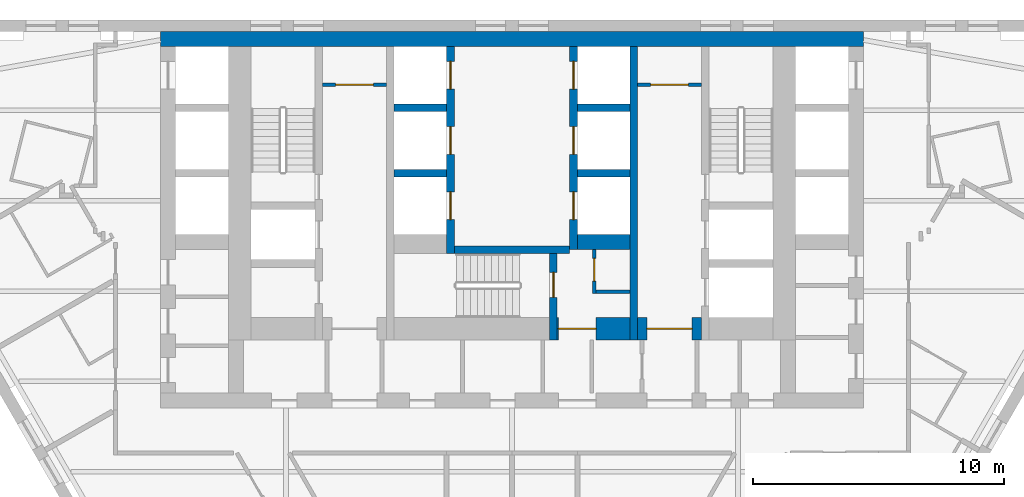
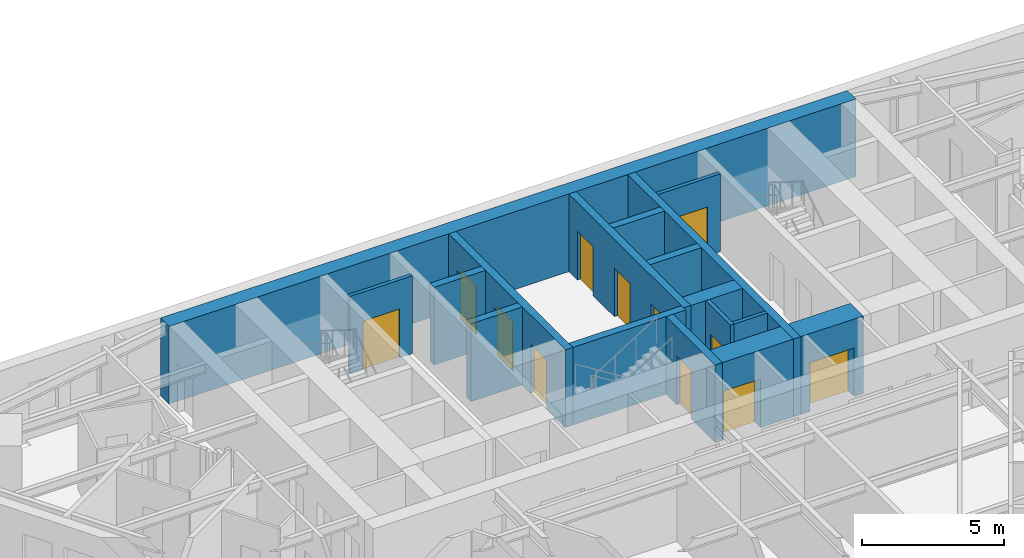
# One storey, part 7 of 10: 17 walls, 12 doors, 12 openings.
"""IFC4 building model written with IfcOpenShell, lengths in metres."""

from ifc_helpers import new_model, si_unit, direction, frame, frame_2d, origin, place, context, subcontext, project, spatial, rectangle, extrude, material, layer, layer_set, type_object, element, fill, save


model = new_model("IFC4")

# Units and contexts
model_context = context("Model", 3, precision=1e-05, world=origin(), true_north=direction((0.0, 1.0)))
body_context = subcontext(model_context, "Body", "Model", "MODEL_VIEW")
ifc_project = project(units=[si_unit("LENGTHUNIT", "METRE"), si_unit("AREAUNIT", "SQUARE_METRE"), si_unit("VOLUMEUNIT", "CUBIC_METRE"), si_unit("PLANEANGLEUNIT", "RADIAN"), si_unit("MASSUNIT", "GRAM", prefix="KILO")], contexts=[model_context])

# Site, building, storey
site_placement = place(None, origin())
site = spatial("IfcSite", under=ifc_project, at=site_placement, CompositionType="ELEMENT")
building_placement = place(site_placement, origin())
building = spatial("IfcBuilding", under=site, at=building_placement, Name="Aloe Facet Convention Tower", CompositionType="ELEMENT")
storey_placement = place(building_placement, frame((0.0, 0.0, 59.5)))
storey = spatial("IfcBuildingStorey", under=building, at=storey_placement, Name="L13", CompositionType="ELEMENT", Elevation=59.5)

# Wall, opening, door
ifc_material_1 = material(Name="Concrete blockwork partition", Category="masonry")
ifc_layer_1 = layer(ifc_material_1, 0.14990234375)
ifc_layer_set_1 = layer_set([ifc_layer_1], Name="CR-W-PART150")
wall_type_1 = type_object("IfcWallType", Name="CR-W-PART150", PredefinedType="PARTITIONING", material=ifc_layer_set_1)
wall_1_placement = place(storey_placement, frame((72.449951171875, 132.425048828125, 0.0), z_axis=(0.0, 0.0, 1.0), x_axis=(1.0, 0.0, 0.0)))
wall_1 = element("IfcWall", 1, at=wall_1_placement, inside=storey, type_object=wall_type_1, Name="Core partition L13-015", PredefinedType="PARTITIONING", context=body_context, shape_type="SweptSolid", body=[
    extrude(rectangle(XDim=2.550048828125, YDim=0.14990234375, at=frame_2d((1.27490234375, 0.0))), origin(), (0.0, 0.0, 1.0), 3.35009765625),
])
opening_1_placement = place(wall_1_placement, frame((0.52490234375, 0.0, 0.0)))
opening_1 = element("IfcOpeningElement", 2, at=opening_1_placement, cuts=wall_1, Name="Opening L13-CD22", PredefinedType="OPENING", context=body_context, shape_type="SweptSolid", body=[
    extrude(rectangle(XDim=1.5, YDim=2.10009765625, at=frame_2d((0.75, 1.050048828125))), frame((0.0, 0.0849609375, 0.0), z_axis=(0.0, -1.0, 0.0), x_axis=(1.0, 0.0, 0.0)), (0.0, 0.0, 1.0), 0.169921875),
])
ifc_material_2 = material(Name="Steel fire-resisting door set FD60", Category="steel")
door_type_1 = type_object("IfcDoorType", Name="CR-D-REFUGE-1500-FD60-DD", OperationType="DOUBLE_DOOR_DOUBLE_SWING", PredefinedType="DOOR", material=ifc_material_2)
door_1_placement = place(opening_1_placement, origin())
door_1 = element("IfcDoor", 3, at=door_1_placement, inside=storey, type_object=door_type_1, Name="Core door L13-CD22", OperationType="DOUBLE_DOOR_DOUBLE_SWING", OverallHeight=2.10009765625, OverallWidth=1.5, PredefinedType="DOOR", context=body_context, shape_type="SweptSolid", body=[
    extrude(rectangle(XDim=1.5, YDim=2.10009765625, at=frame_2d((0.75, 1.050048828125))), frame((0.0, 0.02490234375, 0.0), z_axis=(0.0, -1.0, 0.0), x_axis=(1.0, 0.0, 0.0)), (0.0, 0.0, 1.0), 0.050048828125),
])
fill(opening_1, door_1)

wall_2_placement = place(storey_placement, frame((83.27490234375, 125.85009765625, 0.0), z_axis=(0.0, 0.0, 1.0), x_axis=(0.0, -1.0, 0.0)))
wall_2 = element("IfcWall", 4, at=wall_2_placement, inside=storey, type_object=wall_type_1, Name="Core partition L13-035", PredefinedType="PARTITIONING", context=body_context, shape_type="SweptSolid", body=[
    extrude(rectangle(XDim=1.75, YDim=0.14990234375, at=frame_2d((0.875, 0.0))), origin(), (0.0, 0.0, 1.0), 3.35009765625),
])
opening_2_placement = place(wall_2_placement, frame((0.35009765625, 0.0, 0.0)))
opening_2 = element("IfcOpeningElement", 5, at=opening_2_placement, cuts=wall_2, Name="Opening L13-CD20", PredefinedType="OPENING", context=body_context, shape_type="SweptSolid", body=[
    extrude(rectangle(XDim=0.89990234375, YDim=2.10009765625, at=frame_2d((0.449951171875, 1.050048828125))), frame((0.0, 0.0849609375, 0.0), z_axis=(0.0, -1.0, 0.0), x_axis=(1.0, 0.0, 0.0)), (0.0, 0.0, 1.0), 0.169921875),
])
ifc_material_3 = material(Name="Steel fire-resisting door set FD60", Category="steel")
door_type_2 = type_object("IfcDoorType", Name="CR-D-REFUGE-900-FD60-SRIGHT", OperationType="SINGLE_SWING_RIGHT", PredefinedType="DOOR", material=ifc_material_3)
door_2_placement = place(opening_2_placement, origin())
door_2 = element("IfcDoor", 6, at=door_2_placement, inside=storey, type_object=door_type_2, Name="Core door L13-CD20", OperationType="SINGLE_SWING_RIGHT", OverallHeight=2.10009765625, OverallWidth=0.89990234375, PredefinedType="DOOR", context=body_context, shape_type="SweptSolid", body=[
    extrude(rectangle(XDim=0.89990234375, YDim=2.10009765625, at=frame_2d((0.449951171875, 1.050048828125))), frame((0.0, 0.02490234375, 0.0), z_axis=(0.0, -1.0, 0.0), x_axis=(1.0, 0.0, 0.0)), (0.0, 0.0, 1.0), 0.050048828125),
])
fill(opening_2, door_2)

# Wall
wall_3_placement = place(storey_placement, frame((83.35009765625, 124.175048828125, 0.0), z_axis=(0.0, 0.0, 1.0), x_axis=(1.0, 0.0, 0.0)))
element("IfcWall", 7, at=wall_3_placement, inside=storey, type_object=wall_type_1, Name="Core partition L13-036", PredefinedType="PARTITIONING", context=body_context, shape_type="SweptSolid", body=[
    extrude(rectangle(XDim=1.349853515625, YDim=0.14990234375, at=frame_2d((0.6748046875, 0.0))), origin(), (0.0, 0.0, 1.0), 3.35009765625),
])

# Wall, opening, door
wall_4_placement = place(storey_placement, frame((85.0, 132.425048828125, 0.0), z_axis=(0.0, 0.0, 1.0), x_axis=(1.0, 0.0, 0.0)))
wall_4 = element("IfcWall", 8, at=wall_4_placement, inside=storey, type_object=wall_type_1, Name="Core partition L13-038", PredefinedType="PARTITIONING", context=body_context, shape_type="SweptSolid", body=[
    extrude(rectangle(XDim=2.550048828125, YDim=0.14990234375, at=frame_2d((1.27490234375, 0.0))), origin(), (0.0, 0.0, 1.0), 3.35009765625),
])
opening_3_placement = place(wall_4_placement, frame((0.52490234375, 0.0, 0.0)))
opening_3 = element("IfcOpeningElement", 9, at=opening_3_placement, cuts=wall_4, Name="Opening L13-CD21", PredefinedType="OPENING", context=body_context, shape_type="SweptSolid", body=[
    extrude(rectangle(XDim=1.5, YDim=2.10009765625, at=frame_2d((0.75, 1.050048828125))), frame((0.0, 0.0849609375, 0.0), z_axis=(0.0, -1.0, 0.0), x_axis=(1.0, 0.0, 0.0)), (0.0, 0.0, 1.0), 0.169921875),
])
door_3_placement = place(opening_3_placement, origin())
door_3 = element("IfcDoor", 10, at=door_3_placement, inside=storey, type_object=door_type_1, Name="Core door L13-CD21", OperationType="DOUBLE_DOOR_DOUBLE_SWING", OverallHeight=2.10009765625, OverallWidth=1.5, PredefinedType="DOOR", context=body_context, shape_type="SweptSolid", body=[
    extrude(rectangle(XDim=1.5, YDim=2.10009765625, at=frame_2d((0.75, 1.050048828125))), frame((0.0, 0.02490234375, 0.0), z_axis=(0.0, -1.0, 0.0), x_axis=(1.0, 0.0, 0.0)), (0.0, 0.0, 1.0), 0.050048828125),
])
fill(opening_3, door_3)

# Walls
ifc_material_4 = material(Name="Concrete C80/95", Category="concrete")
ifc_layer_2 = layer(ifc_material_4, 0.300048828125)
ifc_layer_set_2 = layer_set([ifc_layer_2], Name="CR-W-RC300-C8095")
wall_type_2 = type_object("IfcWallType", Name="CR-W-RC300-C8095", PredefinedType="SOLIDWALL", material=ifc_layer_set_2)
for number, where, z_axis, x_axis, name in (
    (11, (75.300048828125, 131.5, 0.0), (0.0, 0.0, 1.0), (1.0, 0.0, 0.0), "Core wall L13-020"),
    (12, (75.300048828125, 128.89990234375, 0.0), (0.0, 0.0, 1.0), (1.0, 0.0, 0.0), "Core wall L13-021"),
):
    element("IfcWall", number, at=place(storey_placement, frame(where, z_axis=z_axis, x_axis=x_axis)), inside=storey, type_object=wall_type_2, Name=name, PredefinedType="SOLIDWALL", context=body_context, shape_type="SweptSolid", body=[
        extrude(rectangle(XDim=2.099853515625, YDim=0.300048828125, at=frame_2d((1.0498046875, 0.0))), origin(), (0.0, 0.0, 1.0), 3.35009765625),
    ])

# Wall, openings, doors
wall_5_placement = place(storey_placement, frame((77.550048828125, 133.949951171875, 0.0), z_axis=(0.0, 0.0, 1.0), x_axis=(0.0, -1.0, 0.0)))
wall_5 = element("IfcWall", 13, at=wall_5_placement, inside=storey, type_object=wall_type_2, Name="Core wall L13-024", PredefinedType="SOLIDWALL", context=body_context, shape_type="SweptSolid", body=[
    extrude(rectangle(XDim=8.25, YDim=0.300048828125, at=frame_2d((4.125, 0.0))), origin(), (0.0, 0.0, 1.0), 3.35009765625),
])
opening_4_placement = place(wall_5_placement, frame((0.60009765625, 0.0, 0.0)))
opening_4 = element("IfcOpeningElement", 14, at=opening_4_placement, cuts=wall_5, Name="Opening LD-A1-L13", PredefinedType="OPENING", context=body_context, shape_type="SweptSolid", body=[
    extrude(rectangle(XDim=1.10009765625, YDim=2.10009765625, at=frame_2d((0.550048828125, 1.050048828125))), frame((0.0, 0.16015625, 0.0), z_axis=(0.0, -1.0, 0.0), x_axis=(1.0, 0.0, 0.0)), (0.0, 0.0, 1.0), 0.320068359375),
])
opening_5_placement = place(wall_5_placement, frame((3.199951171875, 0.0, 0.0)))
opening_5 = element("IfcOpeningElement", 15, at=opening_5_placement, cuts=wall_5, Name="Opening LD-A2-L13", PredefinedType="OPENING", context=body_context, shape_type="SweptSolid", body=[
    extrude(rectangle(XDim=1.10009765625, YDim=2.10009765625, at=frame_2d((0.550048828125, 1.050048828125))), frame((0.0, 0.16015625, 0.0), z_axis=(0.0, -1.0, 0.0), x_axis=(1.0, 0.0, 0.0)), (0.0, 0.0, 1.0), 0.320068359375),
])
opening_6_placement = place(wall_5_placement, frame((5.800048828125, 0.0, 0.0)))
opening_6 = element("IfcOpeningElement", 16, at=opening_6_placement, cuts=wall_5, Name="Opening LD-A3-L13", PredefinedType="OPENING", context=body_context, shape_type="SweptSolid", body=[
    extrude(rectangle(XDim=1.10009765625, YDim=2.10009765625, at=frame_2d((0.550048828125, 1.050048828125))), frame((0.0, 0.16015625, 0.0), z_axis=(0.0, -1.0, 0.0), x_axis=(1.0, 0.0, 0.0)), (0.0, 0.0, 1.0), 0.320068359375),
])
ifc_material_5 = material(Name="Stainless steel sliding landing door", Category="steel")
door_type_3 = type_object("IfcDoorType", Name="CR-LD-1100-FD60-RIGHT", OperationType="SLIDING_TO_RIGHT", PredefinedType="DOOR", material=ifc_material_5)
door_4_placement = place(opening_4_placement, origin())
door_4 = element("IfcDoor", 17, at=door_4_placement, inside=storey, type_object=door_type_3, Name="Landing door A1 L13", OperationType="SLIDING_TO_RIGHT", OverallHeight=2.10009765625, OverallWidth=1.10009765625, PredefinedType="DOOR", context=body_context, shape_type="SweptSolid", body=[
    extrude(rectangle(XDim=1.10009765625, YDim=2.10009765625, at=frame_2d((0.550048828125, 1.050048828125))), frame((0.0, 0.02490234375, 0.0), z_axis=(0.0, -1.0, 0.0), x_axis=(1.0, 0.0, 0.0)), (0.0, 0.0, 1.0), 0.050048828125),
])
fill(opening_4, door_4)
door_5_placement = place(opening_5_placement, origin())
door_5 = element("IfcDoor", 18, at=door_5_placement, inside=storey, type_object=door_type_3, Name="Landing door A2 L13", OperationType="SLIDING_TO_RIGHT", OverallHeight=2.10009765625, OverallWidth=1.10009765625, PredefinedType="DOOR", context=body_context, shape_type="SweptSolid", body=[
    extrude(rectangle(XDim=1.10009765625, YDim=2.10009765625, at=frame_2d((0.550048828125, 1.050048828125))), frame((0.0, 0.02490234375, 0.0), z_axis=(0.0, -1.0, 0.0), x_axis=(1.0, 0.0, 0.0)), (0.0, 0.0, 1.0), 0.050048828125),
])
fill(opening_5, door_5)
door_6_placement = place(opening_6_placement, origin())
door_6 = element("IfcDoor", 19, at=door_6_placement, inside=storey, type_object=door_type_3, Name="Landing door A3 L13", OperationType="SLIDING_TO_RIGHT", OverallHeight=2.10009765625, OverallWidth=1.10009765625, PredefinedType="DOOR", context=body_context, shape_type="SweptSolid", body=[
    extrude(rectangle(XDim=1.10009765625, YDim=2.10009765625, at=frame_2d((0.550048828125, 1.050048828125))), frame((0.0, 0.02490234375, 0.0), z_axis=(0.0, -1.0, 0.0), x_axis=(1.0, 0.0, 0.0)), (0.0, 0.0, 1.0), 0.050048828125),
])
fill(opening_6, door_6)

# Wall
wall_6_placement = place(storey_placement, frame((77.699951171875, 125.85009765625, 0.0), z_axis=(0.0, 0.0, 1.0), x_axis=(1.0, 0.0, 0.0)))
element("IfcWall", 20, at=wall_6_placement, inside=storey, type_object=wall_type_2, Name="Core wall L13-025", PredefinedType="SOLIDWALL", context=body_context, shape_type="SweptSolid", body=[
    extrude(rectangle(XDim=4.60009765625, YDim=0.300048828125, at=frame_2d((2.300048828125, 0.0))), origin(), (0.0, 0.0, 1.0), 3.35009765625),
])

# Wall, opening, door
wall_7_placement = place(storey_placement, frame((81.64990234375, 125.699951171875, 0.0), z_axis=(0.0, 0.0, 1.0), x_axis=(0.0, -1.0, 0.0)))
wall_7 = element("IfcWall", 21, at=wall_7_placement, inside=storey, type_object=wall_type_2, Name="Core wall L13-028", PredefinedType="SOLIDWALL", context=body_context, shape_type="SweptSolid", body=[
    extrude(rectangle(XDim=3.449951171875, YDim=0.300048828125, at=frame_2d((1.72509765625, 0.0))), origin(), (0.0, 0.0, 1.0), 3.35009765625),
])
opening_7_placement = place(wall_7_placement, frame((0.75, 0.0, 0.0)))
opening_7 = element("IfcOpeningElement", 22, at=opening_7_placement, cuts=wall_7, Name="Opening L13-CD32", PredefinedType="OPENING", context=body_context, shape_type="SweptSolid", body=[
    extrude(rectangle(XDim=1.0, YDim=2.10009765625, at=frame_2d((0.5, 1.050048828125))), frame((0.0, 0.16015625, 0.0), z_axis=(0.0, -1.0, 0.0), x_axis=(1.0, 0.0, 0.0)), (0.0, 0.0, 1.0), 0.320068359375),
])
ifc_material_6 = material(Name="Steel fire-resisting door set FD120", Category="steel")
door_type_4 = type_object("IfcDoorType", Name="CR-D-STAIR-1000-FD120-SLEFT", OperationType="SINGLE_SWING_LEFT", PredefinedType="DOOR", material=ifc_material_6)
door_7_placement = place(opening_7_placement, origin())
door_7 = element("IfcDoor", 23, at=door_7_placement, inside=storey, type_object=door_type_4, Name="Core door L13-CD32", OperationType="SINGLE_SWING_LEFT", OverallHeight=2.10009765625, OverallWidth=1.0, PredefinedType="DOOR", context=body_context, shape_type="SweptSolid", body=[
    extrude(rectangle(XDim=1.0, YDim=2.10009765625, at=frame_2d((0.5, 1.050048828125))), frame((0.0, 0.02490234375, 0.0), z_axis=(0.0, -1.0, 0.0), x_axis=(1.0, 0.0, 0.0)), (0.0, 0.0, 1.0), 0.050048828125),
])
fill(opening_7, door_7)

# Wall, openings, doors
wall_8_placement = place(storey_placement, frame((82.449951171875, 133.949951171875, 0.0), z_axis=(0.0, 0.0, 1.0), x_axis=(0.0, -1.0, 0.0)))
wall_8 = element("IfcWall", 24, at=wall_8_placement, inside=storey, type_object=wall_type_2, Name="Core wall L13-030", PredefinedType="SOLIDWALL", context=body_context, shape_type="SweptSolid", body=[
    extrude(rectangle(XDim=8.099853515625, YDim=0.300048828125, at=frame_2d((4.0498046875, 0.0))), origin(), (0.0, 0.0, 1.0), 3.35009765625),
])
opening_8_placement = place(wall_8_placement, frame((0.60009765625, 0.0, 0.0)))
opening_8 = element("IfcOpeningElement", 25, at=opening_8_placement, cuts=wall_8, Name="Opening LD-A4-L13", PredefinedType="OPENING", context=body_context, shape_type="SweptSolid", body=[
    extrude(rectangle(XDim=1.10009765625, YDim=2.10009765625, at=frame_2d((0.550048828125, 1.050048828125))), frame((0.0, 0.16015625, 0.0), z_axis=(0.0, -1.0, 0.0), x_axis=(1.0, 0.0, 0.0)), (0.0, 0.0, 1.0), 0.320068359375),
])
opening_9_placement = place(wall_8_placement, frame((3.199951171875, 0.0, 0.0)))
opening_9 = element("IfcOpeningElement", 26, at=opening_9_placement, cuts=wall_8, Name="Opening LD-A5-L13", PredefinedType="OPENING", context=body_context, shape_type="SweptSolid", body=[
    extrude(rectangle(XDim=1.10009765625, YDim=2.10009765625, at=frame_2d((0.550048828125, 1.050048828125))), frame((0.0, 0.16015625, 0.0), z_axis=(0.0, -1.0, 0.0), x_axis=(1.0, 0.0, 0.0)), (0.0, 0.0, 1.0), 0.320068359375),
])
opening_10_placement = place(wall_8_placement, frame((5.800048828125, 0.0, 0.0)))
opening_10 = element("IfcOpeningElement", 27, at=opening_10_placement, cuts=wall_8, Name="Opening LD-A6-L13", PredefinedType="OPENING", context=body_context, shape_type="SweptSolid", body=[
    extrude(rectangle(XDim=1.10009765625, YDim=2.10009765625, at=frame_2d((0.550048828125, 1.050048828125))), frame((0.0, 0.16015625, 0.0), z_axis=(0.0, -1.0, 0.0), x_axis=(1.0, 0.0, 0.0)), (0.0, 0.0, 1.0), 0.320068359375),
])
ifc_material_7 = material(Name="Stainless steel sliding landing door", Category="steel")
door_type_5 = type_object("IfcDoorType", Name="CR-LD-1100-FD60-_LEFT", OperationType="SLIDING_TO_LEFT", PredefinedType="DOOR", material=ifc_material_7)
door_8_placement = place(opening_8_placement, origin())
door_8 = element("IfcDoor", 28, at=door_8_placement, inside=storey, type_object=door_type_5, Name="Landing door A4 L13", OperationType="SLIDING_TO_LEFT", OverallHeight=2.10009765625, OverallWidth=1.10009765625, PredefinedType="DOOR", context=body_context, shape_type="SweptSolid", body=[
    extrude(rectangle(XDim=1.10009765625, YDim=2.10009765625, at=frame_2d((0.550048828125, 1.050048828125))), frame((0.0, 0.02490234375, 0.0), z_axis=(0.0, -1.0, 0.0), x_axis=(1.0, 0.0, 0.0)), (0.0, 0.0, 1.0), 0.050048828125),
])
fill(opening_8, door_8)
door_9_placement = place(opening_9_placement, origin())
door_9 = element("IfcDoor", 29, at=door_9_placement, inside=storey, type_object=door_type_5, Name="Landing door A5 L13", OperationType="SLIDING_TO_LEFT", OverallHeight=2.10009765625, OverallWidth=1.10009765625, PredefinedType="DOOR", context=body_context, shape_type="SweptSolid", body=[
    extrude(rectangle(XDim=1.10009765625, YDim=2.10009765625, at=frame_2d((0.550048828125, 1.050048828125))), frame((0.0, 0.02490234375, 0.0), z_axis=(0.0, -1.0, 0.0), x_axis=(1.0, 0.0, 0.0)), (0.0, 0.0, 1.0), 0.050048828125),
])
fill(opening_9, door_9)
door_10_placement = place(opening_10_placement, origin())
door_10 = element("IfcDoor", 30, at=door_10_placement, inside=storey, type_object=door_type_5, Name="Landing door A6 L13", OperationType="SLIDING_TO_LEFT", OverallHeight=2.10009765625, OverallWidth=1.10009765625, PredefinedType="DOOR", context=body_context, shape_type="SweptSolid", body=[
    extrude(rectangle(XDim=1.10009765625, YDim=2.10009765625, at=frame_2d((0.550048828125, 1.050048828125))), frame((0.0, 0.02490234375, 0.0), z_axis=(0.0, -1.0, 0.0), x_axis=(1.0, 0.0, 0.0)), (0.0, 0.0, 1.0), 0.050048828125),
])
fill(opening_10, door_10)

# Walls
for number, where, z_axis, x_axis, name in (
    (31, (82.60009765625, 131.5, 0.0), (0.0, 0.0, 1.0), (1.0, 0.0, 0.0), "Core wall L13-031"),
    (32, (82.60009765625, 128.89990234375, 0.0), (0.0, 0.0, 1.0), (1.0, 0.0, 0.0), "Core wall L13-032"),
):
    element("IfcWall", number, at=place(storey_placement, frame(where, z_axis=z_axis, x_axis=x_axis)), inside=storey, type_object=wall_type_2, Name=name, PredefinedType="SOLIDWALL", context=body_context, shape_type="SweptSolid", body=[
        extrude(rectangle(XDim=2.099853515625, YDim=0.300048828125, at=frame_2d((1.0498046875, 0.0))), origin(), (0.0, 0.0, 1.0), 3.35009765625),
    ])
wall_9_placement = place(storey_placement, frame((84.85009765625, 133.949951171875, 0.0), z_axis=(0.0, 0.0, 1.0), x_axis=(0.0, -1.0, 0.0)))
element("IfcWall", 33, at=wall_9_placement, inside=storey, type_object=wall_type_2, Name="Core wall L13-037", PredefinedType="SOLIDWALL", context=body_context, shape_type="SweptSolid", body=[
    extrude(rectangle(XDim=11.699951171875, YDim=0.300048828125, at=frame_2d((5.85009765625, 0.0))), origin(), (0.0, 0.0, 1.0), 3.35009765625),
])
ifc_material_8 = material(Name="Concrete C80/95", Category="concrete")
ifc_layer_3 = layer(ifc_material_8, 0.60009765625)
ifc_layer_set_3 = layer_set([ifc_layer_3], Name="CR-W-RC600-C8095")
wall_type_3 = type_object("IfcWallType", Name="CR-W-RC600-C8095", PredefinedType="SOLIDWALL", material=ifc_layer_set_3)
wall_10_placement = place(storey_placement, frame((66.0, 134.25, 0.0), z_axis=(0.0, 0.0, 1.0), x_axis=(1.0, 0.0, 0.0)))
element("IfcWall", 34, at=wall_10_placement, inside=storey, type_object=wall_type_3, Name="Core wall L13-001", PredefinedType="SOLIDWALL", context=body_context, shape_type="SweptSolid", body=[
    extrude(rectangle(XDim=28.0, YDim=0.60009765625, at=frame_2d((14.0, 0.0))), origin(), (0.0, 0.0, 1.0), 3.35009765625),
])
wall_11_placement = place(storey_placement, frame((82.60009765625, 126.14990234375, 0.0), z_axis=(0.0, 0.0, 1.0), x_axis=(1.0, 0.0, 0.0)))
element("IfcWall", 35, at=wall_11_placement, inside=storey, type_object=wall_type_3, Name="Core wall L13-033", PredefinedType="SOLIDWALL", context=body_context, shape_type="SweptSolid", body=[
    extrude(rectangle(XDim=2.099853515625, YDim=0.60009765625, at=frame_2d((1.0498046875, 0.0))), origin(), (0.0, 0.0, 1.0), 3.35009765625),
])

# Wall, opening, door
ifc_material_9 = material(Name="Concrete C80/95", Category="concrete")
ifc_layer_4 = layer(ifc_material_9, 0.89990234375)
ifc_layer_set_4 = layer_set([ifc_layer_4], Name="CR-W-RC900-C8095")
wall_type_4 = type_object("IfcWallType", Name="CR-W-RC900-C8095", PredefinedType="SOLIDWALL", material=ifc_layer_set_4)
wall_12_placement = place(storey_placement, frame((81.800048828125, 122.699951171875, 0.0), z_axis=(0.0, 0.0, 1.0), x_axis=(1.0, 0.0, 0.0)))
wall_12 = element("IfcWall", 36, at=wall_12_placement, inside=storey, type_object=wall_type_4, Name="Core wall L13-029", PredefinedType="SOLIDWALL", context=body_context, shape_type="SweptSolid", body=[
    extrude(rectangle(XDim=2.89990234375, YDim=0.89990234375, at=frame_2d((1.449951171875, 0.0))), origin(), (0.0, 0.0, 1.0), 3.35009765625),
])
opening_11_placement = place(wall_12_placement, frame((0.050048828125, 0.0, 0.0)))
opening_11 = element("IfcOpeningElement", 37, at=opening_11_placement, cuts=wall_12, Name="Opening L13-CD16", PredefinedType="OPENING", context=body_context, shape_type="SweptSolid", body=[
    extrude(rectangle(XDim=1.5, YDim=2.10009765625, at=frame_2d((0.75, 1.050048828125))), frame((0.0, 0.4599609375, 0.0), z_axis=(0.0, -1.0, 0.0), x_axis=(1.0, 0.0, 0.0)), (0.0, 0.0, 1.0), 0.919921875),
])
ifc_material_10 = material(Name="Steel fire-resisting door set FD60", Category="steel")
door_type_6 = type_object("IfcDoorType", Name="CR-D-EXIT-1500-FD60-DD", OperationType="DOUBLE_DOOR_DOUBLE_SWING", PredefinedType="DOOR", material=ifc_material_10)
door_11_placement = place(opening_11_placement, origin())
door_11 = element("IfcDoor", 38, at=door_11_placement, inside=storey, type_object=door_type_6, Name="Core door L13-CD16", OperationType="DOUBLE_DOOR_DOUBLE_SWING", OverallHeight=2.10009765625, OverallWidth=1.5, PredefinedType="DOOR", context=body_context, shape_type="SweptSolid", body=[
    extrude(rectangle(XDim=1.5, YDim=2.10009765625, at=frame_2d((0.75, 1.050048828125))), frame((0.0, 0.02490234375, 0.0), z_axis=(0.0, -1.0, 0.0), x_axis=(1.0, 0.0, 0.0)), (0.0, 0.0, 1.0), 0.050048828125),
])
fill(opening_11, door_11)

wall_13_placement = place(storey_placement, frame((85.0, 122.699951171875, 0.0), z_axis=(0.0, 0.0, 1.0), x_axis=(1.0, 0.0, 0.0)))
wall_13 = element("IfcWall", 39, at=wall_13_placement, inside=storey, type_object=wall_type_4, Name="Core wall L13-039", PredefinedType="SOLIDWALL", context=body_context, shape_type="SweptSolid", body=[
    extrude(rectangle(XDim=2.550048828125, YDim=0.89990234375, at=frame_2d((1.27490234375, 0.0))), origin(), (0.0, 0.0, 1.0), 3.35009765625),
])
opening_12_placement = place(wall_13_placement, frame((0.375, 0.0, 0.0)))
opening_12 = element("IfcOpeningElement", 40, at=opening_12_placement, cuts=wall_13, Name="Opening L13-CD14", PredefinedType="OPENING", context=body_context, shape_type="SweptSolid", body=[
    extrude(rectangle(XDim=1.800048828125, YDim=2.10009765625, at=frame_2d((0.89990234375, 1.050048828125))), frame((0.0, 0.4599609375, 0.0), z_axis=(0.0, -1.0, 0.0), x_axis=(1.0, 0.0, 0.0)), (0.0, 0.0, 1.0), 0.919921875),
])
ifc_material_11 = material(Name="Steel fire-resisting door set FD120", Category="steel")
door_type_7 = type_object("IfcDoorType", Name="CR-D-EXIT-1800-FD120-DD", OperationType="DOUBLE_DOOR_DOUBLE_SWING", PredefinedType="DOOR", material=ifc_material_11)
door_12_placement = place(opening_12_placement, origin())
door_12 = element("IfcDoor", 41, at=door_12_placement, inside=storey, type_object=door_type_7, Name="Core door L13-CD14", OperationType="DOUBLE_DOOR_DOUBLE_SWING", OverallHeight=2.10009765625, OverallWidth=1.800048828125, PredefinedType="DOOR", context=body_context, shape_type="SweptSolid", body=[
    extrude(rectangle(XDim=1.800048828125, YDim=2.10009765625, at=frame_2d((0.89990234375, 1.050048828125))), frame((0.0, 0.02490234375, 0.0), z_axis=(0.0, -1.0, 0.0), x_axis=(1.0, 0.0, 0.0)), (0.0, 0.0, 1.0), 0.050048828125),
])
fill(opening_12, door_12)

save(model, "model.ifc")
